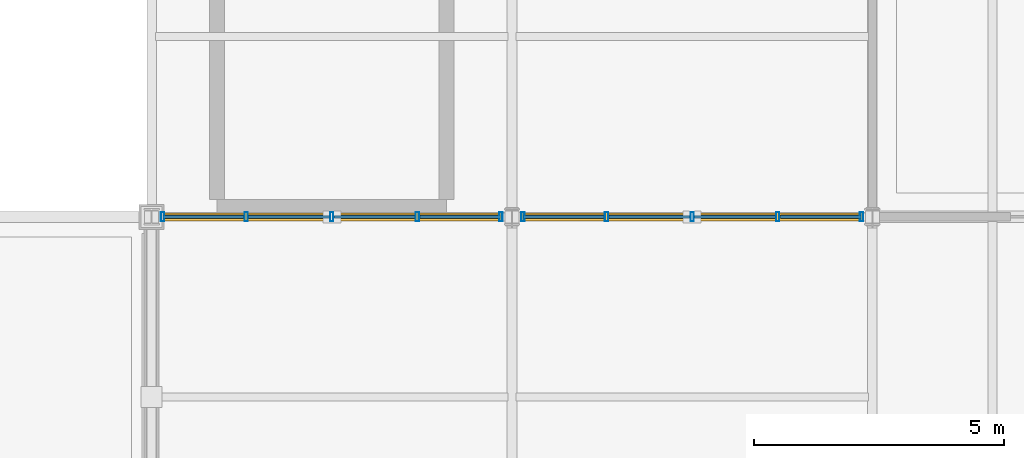
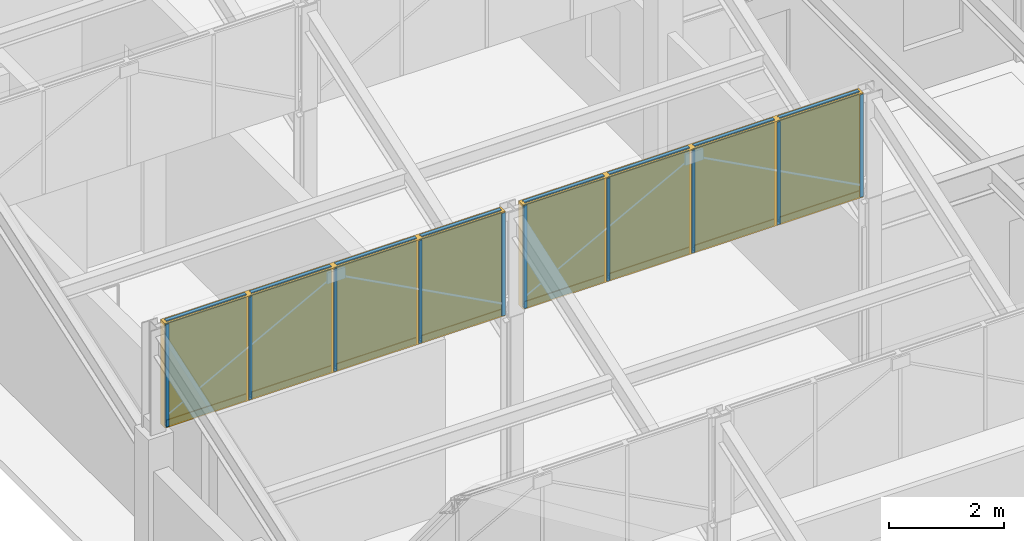
# One storey, part 51 of 82: 26 members, 8 plates, 2 curtain walls.
"""IFC4 building model written with IfcOpenShell, lengths in metres."""

import ifcopenshell
import ifcopenshell.guid

model = None  # the IFC model being written
_history = None  # IfcOwnerHistory: only IFC2X3 demands one
_inside = {}  # id of a spatial element -> (the spatial element, [elements in it])
_under = {}  # id of a project, library or spatial element -> (it, [spatial elements below it])
_declared = {}  # id of a project -> (the project, [libraries it declares])
_typed = {}  # id of a type object -> (the type object, [elements of that type])
_made_of = {}  # id of a material, layer set ... -> (it, [elements and type objects made of it])


def new_model(schema):
    """Start an empty IFC model of exactly this schema.

    Asked for "IFC4X3", IfcOpenShell would pick the latest addendum, in which some entities
    have other attributes; the version numbers below select the first issue.
    IFC2X3 requires an IfcOwnerHistory on every rooted entity: one is made here for all.
    """
    global model, _history
    if schema == "IFC4X3":
        model = ifcopenshell.file(schema_version=(4, 3, 0, 0))
    else:
        model = ifcopenshell.file(schema=schema)
    _inside.clear()
    _under.clear()
    _declared.clear()
    _typed.clear()
    _made_of.clear()
    _history = None
    if model.schema == "IFC2X3":
        org = make("IfcOrganization", Name="unknown")
        user = make(
            "IfcPersonAndOrganization",
            ThePerson=make("IfcPerson", FamilyName="unknown"),
            TheOrganization=org,
        )
        app = make(
            "IfcApplication",
            ApplicationDeveloper=org,
            Version="unknown",
            ApplicationFullName="unknown",
            ApplicationIdentifier="unknown",
        )
        _history = make(
            "IfcOwnerHistory",
            OwningUser=user,
            OwningApplication=app,
            ChangeAction="ADDED",
            CreationDate=0,
        )
    return model


def make(cls, **values):
    """One entity of the class cls with the attributes given. An attribute that is None is left unset."""
    return model.create_entity(
        cls, **{name: value for name, value in values.items() if value is not None}
    )


def rooted(cls, **values):
    """An entity with a GlobalId (a new one), such as an element, a storey or a relation."""
    return make(cls, GlobalId=ifcopenshell.guid.new(), OwnerHistory=_history, **values)


def si_unit(unit_type, name, prefix=None):
    """IfcSIUnit, for example si_unit("LENGTHUNIT", "METRE", prefix="MILLI")."""
    return make("IfcSIUnit", UnitType=unit_type, Prefix=prefix, Name=name)


def assignment(units):
    """IfcUnitAssignment: the units of a project."""
    return None if units is None else make("IfcUnitAssignment", Units=units)


def point(xyz):
    """IfcCartesianPoint."""
    return None if xyz is None else make("IfcCartesianPoint", Coordinates=xyz)


def direction(xyz):
    """IfcDirection."""
    return None if xyz is None else make("IfcDirection", DirectionRatios=xyz)


def frame(location, z_axis=None, x_axis=None):
    """IfcAxis2Placement3D, a coordinate frame: its origin and axes. An axis left out is left unset."""
    return make(
        "IfcAxis2Placement3D",
        Location=point(location),
        Axis=direction(z_axis),
        RefDirection=direction(x_axis),
    )


def frame_2d(location, x_axis=None):
    """IfcAxis2Placement2D, a coordinate frame in the plane: its origin and x axis."""
    return make(
        "IfcAxis2Placement2D", Location=point(location), RefDirection=direction(x_axis)
    )


def origin():
    """The frame at (0, 0, 0) with its axes left unset."""
    return frame((0.0, 0.0, 0.0))


def origin_2d():
    """The frame at (0, 0) in the plane with its x axis left unset."""
    return frame_2d((0.0, 0.0))


def place(relative_to, where):
    """IfcLocalPlacement: puts the frame where relative to a parent placement (None: the world)."""
    return make(
        "IfcLocalPlacement", PlacementRelTo=relative_to, RelativePlacement=where
    )


def context(
    kind, dimensions, precision=None, world=None, true_north=None, identifier=None
):
    """IfcGeometricRepresentationContext, for example the 3D "Model" context."""
    return make(
        "IfcGeometricRepresentationContext",
        ContextIdentifier=identifier,
        ContextType=kind,
        CoordinateSpaceDimension=dimensions,
        Precision=precision,
        WorldCoordinateSystem=world,
        TrueNorth=true_north,
    )


def subcontext(parent, identifier, kind, view, scale=None):
    """IfcGeometricRepresentationSubContext, for example "Body" below "Model"."""
    return make(
        "IfcGeometricRepresentationSubContext",
        ContextIdentifier=identifier,
        ContextType=kind,
        ParentContext=parent,
        TargetScale=scale,
        TargetView=view,
    )


def project(units=None, contexts=None):
    """IfcProject with its units and contexts."""
    return rooted(
        "IfcProject",
        Name="project",
        RepresentationContexts=contexts,
        UnitsInContext=assignment(units),
    )


def spatial(cls, under=None, at=None, **own):
    """A site, building, storey or space (cls), placed at a placement, below another one or the project."""
    s = rooted(cls, ObjectPlacement=at, **own)
    if under is not None:
        _under.setdefault(under.id(), (under, []))[1].append(s)
    return s


def profile(cls, at=None, kind="AREA", **sizes):
    """A parametric profile (cls). Its sizes go by their IFC names, for example OverallWidth=200.0."""
    return make(cls, ProfileType=kind, Position=at, **sizes)


def rectangle(**sizes):
    """IfcRectangleProfileDef."""
    return profile("IfcRectangleProfileDef", **sizes)


def hollow_rectangle(**sizes):
    """IfcRectangleHollowProfileDef."""
    return profile("IfcRectangleHollowProfileDef", **sizes)


def extrude(swept, where, along, depth):
    """IfcExtrudedAreaSolid: the profile swept, set in the frame where, extruded along a direction by depth."""
    return make(
        "IfcExtrudedAreaSolid",
        SweptArea=swept,
        Position=where,
        ExtrudedDirection=direction(along),
        Depth=depth,
    )


def shape(context_of_items, identifier, shape_type, items):
    """IfcShapeRepresentation: the items that make up one representation, for example the "Body"."""
    return make(
        "IfcShapeRepresentation",
        ContextOfItems=context_of_items,
        RepresentationIdentifier=identifier,
        RepresentationType=shape_type,
        Items=items,
    )


def material(Name=None, Category=None):
    """IfcMaterial."""
    return make("IfcMaterial", Name=Name, Category=Category)


def layer(
    of_material, thickness, ventilated=None, Name=None, Category=None, Priority=None
):
    """IfcMaterialLayer: one layer of a wall or slab, of a material (None: an air gap)."""
    return make(
        "IfcMaterialLayer",
        Material=of_material,
        LayerThickness=thickness,
        IsVentilated=ventilated,
        Name=Name,
        Category=Category,
        Priority=Priority,
    )


def layer_set(layers, Name=None):
    """IfcMaterialLayerSet."""
    return make("IfcMaterialLayerSet", MaterialLayers=layers, LayerSetName=Name)


def material_profile(
    of_material, cross_section, Name=None, Category=None, Priority=None
):
    """IfcMaterialProfile: a cross section and its material."""
    return make(
        "IfcMaterialProfile",
        Name=Name,
        Material=of_material,
        Profile=cross_section,
        Priority=Priority,
        Category=Category,
    )


def profile_set(profiles, Name=None, composite=None):
    """IfcMaterialProfileSet."""
    return make(
        "IfcMaterialProfileSet",
        Name=Name,
        MaterialProfiles=profiles,
        CompositeProfile=composite,
    )


def made_of(thing, what):
    """Note that an element or type object is made of a material, layer set ...; save() writes the relation."""
    if what is not None:
        _made_of.setdefault(what.id(), (what, []))[1].append(thing)
    return thing


def type_object(cls, material=None, **own):
    """A type object (cls), such as IfcWallType, which elements share."""
    return made_of(rooted(cls, **own), material)


def element(
    cls,
    number,
    at=None,
    inside=None,
    cuts=None,
    type_object=None,
    material=None,
    context=None,
    identifier="Body",
    shape_type=None,
    held_by="IfcProductDefinitionShape",
    body=None,
    shapes=None,
    **own,
):
    """One element of the class cls, such as IfcWall. Its Tag is "e" and its number.

    at: its placement. inside: the storey or other place that contains it. cuts: it is an
    opening in that element (IfcRelVoidsElement). A single representation is given by context,
    identifier, shape_type and body (its items); several are given by shapes. held_by: the class
    of the entity that holds the representations. save() writes the other relations.
    """
    e = rooted(cls, Tag="e%d" % number, ObjectPlacement=at, **own)
    if body is not None:
        shapes = [shape(context, identifier, shape_type, body)]
    if shapes is not None:
        e.Representation = make(held_by, Representations=shapes)
    if inside is not None:
        _inside.setdefault(inside.id(), (inside, []))[1].append(e)
    if cuts is not None:
        rooted(
            "IfcRelVoidsElement", RelatingBuildingElement=cuts, RelatedOpeningElement=e
        )
    if type_object is not None:
        _typed.setdefault(type_object.id(), (type_object, []))[1].append(e)
    return made_of(e, material)


def aggregate(whole, parts):
    """IfcRelAggregates: a whole, such as a stair, and the parts it consists of."""
    return rooted("IfcRelAggregates", RelatingObject=whole, RelatedObjects=parts)


def save(model, path):
    """Write the relations noted so far, then the file.

    IfcRelAggregates (storeys below a building ...), IfcRelContainedInSpatialStructure (elements
    in a storey), IfcRelDefinesByType, IfcRelAssociatesMaterial and IfcRelDeclares: one each for
    every whole, place, type object, material and project.
    """
    for whole, parts in _under.values():
        aggregate(whole, parts)
    for where, things in _inside.values():
        rooted(
            "IfcRelContainedInSpatialStructure",
            RelatedElements=things,
            RelatingStructure=where,
        )
    for kind, things in _typed.values():
        rooted("IfcRelDefinesByType", RelatedObjects=things, RelatingType=kind)
    for what, things in _made_of.values():
        rooted("IfcRelAssociatesMaterial", RelatedObjects=things, RelatingMaterial=what)
    for by, libraries in _declared.values():
        rooted("IfcRelDeclares", RelatingContext=by, RelatedDefinitions=libraries)
    model.write(path)


model = new_model("IFC4")

# Units and contexts
model_context = context("Model", 3, precision=1e-05, world=origin(), true_north=direction((0.0, 1.0)))
body_context = subcontext(model_context, "Body", "Model", "MODEL_VIEW")
ifc_project = project(units=[si_unit("LENGTHUNIT", "METRE"), si_unit("AREAUNIT", "SQUARE_METRE"), si_unit("VOLUMEUNIT", "CUBIC_METRE"), si_unit("PLANEANGLEUNIT", "RADIAN"), si_unit("MASSUNIT", "GRAM", prefix="KILO")], contexts=[model_context])

# Member
ifc_material_1 = material(Name="Anodized Aluminium 6063-T6", Category="aluminium")
ifc_material_profile_1 = material_profile(ifc_material_1, hollow_rectangle(XDim=0.06494140625, YDim=0.179931640625, WallThickness=0.00390625, at=origin_2d()), Name="ALU 65x180x4")
ifc_profile_set_1 = profile_set([ifc_material_profile_1], Name="Anodized Aluminium 6063-T6")
member_type_1 = type_object("IfcMemberType", Name="CWM-65X150", PredefinedType="MULLION", material=ifc_profile_set_1)
site_placement = place(None, origin())
building_placement = place(site_placement, origin())
storey_placement = place(building_placement, frame((0.0, 0.0, 14.10009765625)))
member_1_placement = place(storey_placement, frame((122.6201171875, 50.39990234375, 3.919921875), z_axis=(0.0, 0.0, 1.0), x_axis=(1.0, 0.0, 0.0)))
member_1 = element("IfcMember", 1, at=member_1_placement, type_object=member_type_1, Name="Curtain wall mullion CW-CLER-17-06-00", PredefinedType="MULLION", context=body_context, shape_type="SweptSolid", body=[
    extrude(hollow_rectangle(XDim=0.06494140625, YDim=0.179931640625, WallThickness=0.00390625, at=origin_2d()), origin(), (0.0, 0.0, 1.0), 2.179931640625),
])

member_2_placement = place(storey_placement, frame((124.2900390625, 50.39990234375, 3.919921875), z_axis=(0.0, 0.0, 1.0), x_axis=(1.0, 0.0, 0.0)))
member_2 = element("IfcMember", 2, at=member_2_placement, type_object=member_type_1, Name="Curtain wall mullion CW-CLER-17-06-01", PredefinedType="MULLION", context=body_context, shape_type="SweptSolid", body=[
    extrude(hollow_rectangle(XDim=0.06494140625, YDim=0.179931640625, WallThickness=0.00390625, at=origin_2d()), origin(), (0.0, 0.0, 1.0), 2.179931640625),
])

member_3_placement = place(storey_placement, frame((126.0, 50.39990234375, 3.919921875), z_axis=(0.0, 0.0, 1.0), x_axis=(1.0, 0.0, 0.0)))
member_3 = element("IfcMember", 3, at=member_3_placement, type_object=member_type_1, Name="Curtain wall mullion CW-CLER-17-06-02", PredefinedType="MULLION", context=body_context, shape_type="SweptSolid", body=[
    extrude(hollow_rectangle(XDim=0.06494140625, YDim=0.179931640625, WallThickness=0.00390625, at=origin_2d()), origin(), (0.0, 0.0, 1.0), 2.179931640625),
])

member_4_placement = place(storey_placement, frame((127.7099609375, 50.39990234375, 3.919921875), z_axis=(0.0, 0.0, 1.0), x_axis=(1.0, 0.0, 0.0)))
member_4 = element("IfcMember", 4, at=member_4_placement, type_object=member_type_1, Name="Curtain wall mullion CW-CLER-17-06-03", PredefinedType="MULLION", context=body_context, shape_type="SweptSolid", body=[
    extrude(hollow_rectangle(XDim=0.06494140625, YDim=0.179931640625, WallThickness=0.00390625, at=origin_2d()), origin(), (0.0, 0.0, 1.0), 2.179931640625),
])

member_5_placement = place(storey_placement, frame((129.3798828125, 50.39990234375, 3.919921875), z_axis=(0.0, 0.0, 1.0), x_axis=(1.0, 0.0, 0.0)))
member_5 = element("IfcMember", 5, at=member_5_placement, type_object=member_type_1, Name="Curtain wall mullion CW-CLER-17-06-04", PredefinedType="MULLION", context=body_context, shape_type="SweptSolid", body=[
    extrude(hollow_rectangle(XDim=0.06494140625, YDim=0.179931640625, WallThickness=0.00390625, at=origin_2d()), origin(), (0.0, 0.0, 1.0), 2.179931640625),
])

member_6_placement = place(storey_placement, frame((129.820068359375, 50.39990234375, 3.919921875), z_axis=(0.0, 0.0, 1.0), x_axis=(1.0, 0.0, 0.0)))
member_6 = element("IfcMember", 6, at=member_6_placement, type_object=member_type_1, Name="Curtain wall mullion CW-CLER-18-06-00", PredefinedType="MULLION", context=body_context, shape_type="SweptSolid", body=[
    extrude(hollow_rectangle(XDim=0.06494140625, YDim=0.179931640625, WallThickness=0.00390625, at=origin_2d()), origin(), (0.0, 0.0, 1.0), 2.179931640625),
])

member_7_placement = place(storey_placement, frame((131.489990234375, 50.39990234375, 3.919921875), z_axis=(0.0, 0.0, 1.0), x_axis=(1.0, 0.0, 0.0)))
member_7 = element("IfcMember", 7, at=member_7_placement, type_object=member_type_1, Name="Curtain wall mullion CW-CLER-18-06-01", PredefinedType="MULLION", context=body_context, shape_type="SweptSolid", body=[
    extrude(hollow_rectangle(XDim=0.06494140625, YDim=0.179931640625, WallThickness=0.00390625, at=origin_2d()), origin(), (0.0, 0.0, 1.0), 2.179931640625),
])

member_8_placement = place(storey_placement, frame((133.199951171875, 50.39990234375, 3.919921875), z_axis=(0.0, 0.0, 1.0), x_axis=(1.0, 0.0, 0.0)))
member_8 = element("IfcMember", 8, at=member_8_placement, type_object=member_type_1, Name="Curtain wall mullion CW-CLER-18-06-02", PredefinedType="MULLION", context=body_context, shape_type="SweptSolid", body=[
    extrude(hollow_rectangle(XDim=0.06494140625, YDim=0.179931640625, WallThickness=0.00390625, at=origin_2d()), origin(), (0.0, 0.0, 1.0), 2.179931640625),
])

member_9_placement = place(storey_placement, frame((134.909912109375, 50.39990234375, 3.919921875), z_axis=(0.0, 0.0, 1.0), x_axis=(1.0, 0.0, 0.0)))
member_9 = element("IfcMember", 9, at=member_9_placement, type_object=member_type_1, Name="Curtain wall mullion CW-CLER-18-06-03", PredefinedType="MULLION", context=body_context, shape_type="SweptSolid", body=[
    extrude(hollow_rectangle(XDim=0.06494140625, YDim=0.179931640625, WallThickness=0.00390625, at=origin_2d()), origin(), (0.0, 0.0, 1.0), 2.179931640625),
])

member_10_placement = place(storey_placement, frame((136.580078125, 50.39990234375, 3.919921875), z_axis=(0.0, 0.0, 1.0), x_axis=(1.0, 0.0, 0.0)))
member_10 = element("IfcMember", 10, at=member_10_placement, type_object=member_type_1, Name="Curtain wall mullion CW-CLER-18-06-04", PredefinedType="MULLION", context=body_context, shape_type="SweptSolid", body=[
    extrude(hollow_rectangle(XDim=0.06494140625, YDim=0.179931640625, WallThickness=0.00390625, at=origin_2d()), origin(), (0.0, 0.0, 1.0), 2.179931640625),
])

ifc_material_profile_2 = material_profile(ifc_material_1, hollow_rectangle(XDim=0.06494140625, YDim=0.139892578125, WallThickness=0.00390625, at=origin_2d()), Name="ALU 65x140x4")
ifc_profile_set_2 = profile_set([ifc_material_profile_2], Name="Anodized Aluminium 6063-T6")
member_type_2 = type_object("IfcMemberType", Name="CWT-65X120", PredefinedType="USERDEFINED", material=ifc_profile_set_2)
member_11_placement = place(storey_placement, frame((122.6298828125, 50.39990234375, 3.949951171875), z_axis=(1.0, 0.0, 0.0), x_axis=(0.0, 1.0, 0.0)))
member_11 = element("IfcMember", 11, at=member_11_placement, type_object=member_type_2, Name="Curtain wall transom CW-CLER-17-06-1.01", ObjectType="TRANSOM", PredefinedType="USERDEFINED", context=body_context, shape_type="SweptSolid", body=[
    extrude(hollow_rectangle(XDim=0.06494140625, YDim=0.139892578125, WallThickness=0.00390625, at=origin_2d()), origin(), (0.0, 0.0, 1.0), 1.610107421875),
])

member_12_placement = place(storey_placement, frame((124.340087890625, 50.39990234375, 3.949951171875), z_axis=(1.0, 0.0, 0.0), x_axis=(0.0, 1.0, 0.0)))
member_12 = element("IfcMember", 12, at=member_12_placement, type_object=member_type_2, Name="Curtain wall transom CW-CLER-17-06-1.02", ObjectType="TRANSOM", PredefinedType="USERDEFINED", context=body_context, shape_type="SweptSolid", body=[
    extrude(hollow_rectangle(XDim=0.06494140625, YDim=0.139892578125, WallThickness=0.00390625, at=origin_2d()), origin(), (0.0, 0.0, 1.0), 1.60986328125),
])

member_13_placement = place(storey_placement, frame((126.050048828125, 50.39990234375, 3.949951171875), z_axis=(1.0, 0.0, 0.0), x_axis=(0.0, 1.0, 0.0)))
member_13 = element("IfcMember", 13, at=member_13_placement, type_object=member_type_2, Name="Curtain wall transom CW-CLER-17-06-1.03", ObjectType="TRANSOM", PredefinedType="USERDEFINED", context=body_context, shape_type="SweptSolid", body=[
    extrude(hollow_rectangle(XDim=0.06494140625, YDim=0.139892578125, WallThickness=0.00390625, at=origin_2d()), origin(), (0.0, 0.0, 1.0), 1.60986328125),
])

member_14_placement = place(storey_placement, frame((127.760009765625, 50.39990234375, 3.949951171875), z_axis=(1.0, 0.0, 0.0), x_axis=(0.0, 1.0, 0.0)))
member_14 = element("IfcMember", 14, at=member_14_placement, type_object=member_type_2, Name="Curtain wall transom CW-CLER-17-06-1.04", ObjectType="TRANSOM", PredefinedType="USERDEFINED", context=body_context, shape_type="SweptSolid", body=[
    extrude(hollow_rectangle(XDim=0.06494140625, YDim=0.139892578125, WallThickness=0.00390625, at=origin_2d()), origin(), (0.0, 0.0, 1.0), 1.610107421875),
])

member_15_placement = place(storey_placement, frame((122.6298828125, 50.39990234375, 6.06982421875), z_axis=(1.0, 0.0, 0.0), x_axis=(0.0, 1.0, 0.0)))
member_15 = element("IfcMember", 15, at=member_15_placement, type_object=member_type_2, Name="Curtain wall transom CW-CLER-17-06-2.01", ObjectType="TRANSOM", PredefinedType="USERDEFINED", context=body_context, shape_type="SweptSolid", body=[
    extrude(hollow_rectangle(XDim=0.06494140625, YDim=0.139892578125, WallThickness=0.00390625, at=origin_2d()), origin(), (0.0, 0.0, 1.0), 1.610107421875),
])

member_16_placement = place(storey_placement, frame((124.340087890625, 50.39990234375, 6.06982421875), z_axis=(1.0, 0.0, 0.0), x_axis=(0.0, 1.0, 0.0)))
member_16 = element("IfcMember", 16, at=member_16_placement, type_object=member_type_2, Name="Curtain wall transom CW-CLER-17-06-2.02", ObjectType="TRANSOM", PredefinedType="USERDEFINED", context=body_context, shape_type="SweptSolid", body=[
    extrude(hollow_rectangle(XDim=0.06494140625, YDim=0.139892578125, WallThickness=0.00390625, at=origin_2d()), origin(), (0.0, 0.0, 1.0), 1.60986328125),
])

member_17_placement = place(storey_placement, frame((126.050048828125, 50.39990234375, 6.06982421875), z_axis=(1.0, 0.0, 0.0), x_axis=(0.0, 1.0, 0.0)))
member_17 = element("IfcMember", 17, at=member_17_placement, type_object=member_type_2, Name="Curtain wall transom CW-CLER-17-06-2.03", ObjectType="TRANSOM", PredefinedType="USERDEFINED", context=body_context, shape_type="SweptSolid", body=[
    extrude(hollow_rectangle(XDim=0.06494140625, YDim=0.139892578125, WallThickness=0.00390625, at=origin_2d()), origin(), (0.0, 0.0, 1.0), 1.60986328125),
])

member_18_placement = place(storey_placement, frame((127.760009765625, 50.39990234375, 6.06982421875), z_axis=(1.0, 0.0, 0.0), x_axis=(0.0, 1.0, 0.0)))
member_18 = element("IfcMember", 18, at=member_18_placement, type_object=member_type_2, Name="Curtain wall transom CW-CLER-17-06-2.04", ObjectType="TRANSOM", PredefinedType="USERDEFINED", context=body_context, shape_type="SweptSolid", body=[
    extrude(hollow_rectangle(XDim=0.06494140625, YDim=0.139892578125, WallThickness=0.00390625, at=origin_2d()), origin(), (0.0, 0.0, 1.0), 1.610107421875),
])

member_19_placement = place(storey_placement, frame((129.830078125, 50.39990234375, 3.949951171875), z_axis=(1.0, 0.0, 0.0), x_axis=(0.0, 1.0, 0.0)))
member_19 = element("IfcMember", 19, at=member_19_placement, type_object=member_type_2, Name="Curtain wall transom CW-CLER-18-06-1.01", ObjectType="TRANSOM", PredefinedType="USERDEFINED", context=body_context, shape_type="SweptSolid", body=[
    extrude(hollow_rectangle(XDim=0.06494140625, YDim=0.139892578125, WallThickness=0.00390625, at=origin_2d()), origin(), (0.0, 0.0, 1.0), 1.60986328125),
])

member_20_placement = place(storey_placement, frame((131.5400390625, 50.39990234375, 3.949951171875), z_axis=(1.0, 0.0, 0.0), x_axis=(0.0, 1.0, 0.0)))
member_20 = element("IfcMember", 20, at=member_20_placement, type_object=member_type_2, Name="Curtain wall transom CW-CLER-18-06-1.02", ObjectType="TRANSOM", PredefinedType="USERDEFINED", context=body_context, shape_type="SweptSolid", body=[
    extrude(hollow_rectangle(XDim=0.06494140625, YDim=0.139892578125, WallThickness=0.00390625, at=origin_2d()), origin(), (0.0, 0.0, 1.0), 1.60986328125),
])

member_21_placement = place(storey_placement, frame((133.25, 50.39990234375, 3.949951171875), z_axis=(1.0, 0.0, 0.0), x_axis=(0.0, 1.0, 0.0)))
member_21 = element("IfcMember", 21, at=member_21_placement, type_object=member_type_2, Name="Curtain wall transom CW-CLER-18-06-1.03", ObjectType="TRANSOM", PredefinedType="USERDEFINED", context=body_context, shape_type="SweptSolid", body=[
    extrude(hollow_rectangle(XDim=0.06494140625, YDim=0.139892578125, WallThickness=0.00390625, at=origin_2d()), origin(), (0.0, 0.0, 1.0), 1.610107421875),
])

member_22_placement = place(storey_placement, frame((134.9599609375, 50.39990234375, 3.949951171875), z_axis=(1.0, 0.0, 0.0), x_axis=(0.0, 1.0, 0.0)))
member_22 = element("IfcMember", 22, at=member_22_placement, type_object=member_type_2, Name="Curtain wall transom CW-CLER-18-06-1.04", ObjectType="TRANSOM", PredefinedType="USERDEFINED", context=body_context, shape_type="SweptSolid", body=[
    extrude(hollow_rectangle(XDim=0.06494140625, YDim=0.139892578125, WallThickness=0.00390625, at=origin_2d()), origin(), (0.0, 0.0, 1.0), 1.610107421875),
])

member_23_placement = place(storey_placement, frame((129.830078125, 50.39990234375, 6.06982421875), z_axis=(1.0, 0.0, 0.0), x_axis=(0.0, 1.0, 0.0)))
member_23 = element("IfcMember", 23, at=member_23_placement, type_object=member_type_2, Name="Curtain wall transom CW-CLER-18-06-2.01", ObjectType="TRANSOM", PredefinedType="USERDEFINED", context=body_context, shape_type="SweptSolid", body=[
    extrude(hollow_rectangle(XDim=0.06494140625, YDim=0.139892578125, WallThickness=0.00390625, at=origin_2d()), origin(), (0.0, 0.0, 1.0), 1.60986328125),
])

member_24_placement = place(storey_placement, frame((131.5400390625, 50.39990234375, 6.06982421875), z_axis=(1.0, 0.0, 0.0), x_axis=(0.0, 1.0, 0.0)))
member_24 = element("IfcMember", 24, at=member_24_placement, type_object=member_type_2, Name="Curtain wall transom CW-CLER-18-06-2.02", ObjectType="TRANSOM", PredefinedType="USERDEFINED", context=body_context, shape_type="SweptSolid", body=[
    extrude(hollow_rectangle(XDim=0.06494140625, YDim=0.139892578125, WallThickness=0.00390625, at=origin_2d()), origin(), (0.0, 0.0, 1.0), 1.60986328125),
])

member_25_placement = place(storey_placement, frame((133.25, 50.39990234375, 6.06982421875), z_axis=(1.0, 0.0, 0.0), x_axis=(0.0, 1.0, 0.0)))
member_25 = element("IfcMember", 25, at=member_25_placement, type_object=member_type_2, Name="Curtain wall transom CW-CLER-18-06-2.03", ObjectType="TRANSOM", PredefinedType="USERDEFINED", context=body_context, shape_type="SweptSolid", body=[
    extrude(hollow_rectangle(XDim=0.06494140625, YDim=0.139892578125, WallThickness=0.00390625, at=origin_2d()), origin(), (0.0, 0.0, 1.0), 1.610107421875),
])

member_26_placement = place(storey_placement, frame((134.9599609375, 50.39990234375, 6.06982421875), z_axis=(1.0, 0.0, 0.0), x_axis=(0.0, 1.0, 0.0)))
member_26 = element("IfcMember", 26, at=member_26_placement, type_object=member_type_2, Name="Curtain wall transom CW-CLER-18-06-2.04", ObjectType="TRANSOM", PredefinedType="USERDEFINED", context=body_context, shape_type="SweptSolid", body=[
    extrude(hollow_rectangle(XDim=0.06494140625, YDim=0.139892578125, WallThickness=0.00390625, at=origin_2d()), origin(), (0.0, 0.0, 1.0), 1.610107421875),
])

# Plate
ifc_material_2 = material(Name="North-Light Clear Diffusing Glazing", Category="glass")
ifc_layer = layer(ifc_material_2, 0.035888671875)
ifc_layer_set = layer_set([ifc_layer], Name="North-Light Clear Diffusing Glazing")
plate_type = type_object("IfcPlateType", Name="CWP-IGU-CL", PredefinedType="CURTAIN_PANEL", material=ifc_layer_set)
plate_1_placement = place(storey_placement, frame((123.43505859375, 50.39990234375, 3.9599609375), z_axis=(0.0, 0.0, 1.0), x_axis=(1.0, 0.0, 0.0)))
plate_1 = element("IfcPlate", 27, at=plate_1_placement, type_object=plate_type, Name="Curtain wall vision glazing CW-CLER-17-06-01", PredefinedType="CURTAIN_PANEL", context=body_context, shape_type="SweptSolid", body=[
    extrude(rectangle(XDim=1.6201171875, YDim=0.0400390625, at=origin_2d()), origin(), (0.0, 0.0, 1.0), 2.10009765625),
])

plate_2_placement = place(storey_placement, frame((125.14501953125, 50.39990234375, 3.9599609375), z_axis=(0.0, 0.0, 1.0), x_axis=(1.0, 0.0, 0.0)))
plate_2 = element("IfcPlate", 28, at=plate_2_placement, type_object=plate_type, Name="Curtain wall vision glazing CW-CLER-17-06-02", PredefinedType="CURTAIN_PANEL", context=body_context, shape_type="SweptSolid", body=[
    extrude(rectangle(XDim=1.6201171875, YDim=0.0400390625, at=origin_2d()), origin(), (0.0, 0.0, 1.0), 2.10009765625),
])

plate_3_placement = place(storey_placement, frame((126.85498046875, 50.39990234375, 3.9599609375), z_axis=(0.0, 0.0, 1.0), x_axis=(1.0, 0.0, 0.0)))
plate_3 = element("IfcPlate", 29, at=plate_3_placement, type_object=plate_type, Name="Curtain wall vision glazing CW-CLER-17-06-03", PredefinedType="CURTAIN_PANEL", context=body_context, shape_type="SweptSolid", body=[
    extrude(rectangle(XDim=1.6201171875, YDim=0.0400390625, at=origin_2d()), origin(), (0.0, 0.0, 1.0), 2.10009765625),
])

plate_4_placement = place(storey_placement, frame((128.56494140625, 50.39990234375, 3.9599609375), z_axis=(0.0, 0.0, 1.0), x_axis=(1.0, 0.0, 0.0)))
plate_4 = element("IfcPlate", 30, at=plate_4_placement, type_object=plate_type, Name="Curtain wall vision glazing CW-CLER-17-06-04", PredefinedType="CURTAIN_PANEL", context=body_context, shape_type="SweptSolid", body=[
    extrude(rectangle(XDim=1.6201171875, YDim=0.0400390625, at=origin_2d()), origin(), (0.0, 0.0, 1.0), 2.10009765625),
])

plate_5_placement = place(storey_placement, frame((130.635009765625, 50.39990234375, 3.9599609375), z_axis=(0.0, 0.0, 1.0), x_axis=(1.0, 0.0, 0.0)))
plate_5 = element("IfcPlate", 31, at=plate_5_placement, type_object=plate_type, Name="Curtain wall vision glazing CW-CLER-18-06-01", PredefinedType="CURTAIN_PANEL", context=body_context, shape_type="SweptSolid", body=[
    extrude(rectangle(XDim=1.6201171875, YDim=0.0400390625, at=origin_2d()), origin(), (0.0, 0.0, 1.0), 2.10009765625),
])

plate_6_placement = place(storey_placement, frame((132.344970703125, 50.39990234375, 3.9599609375), z_axis=(0.0, 0.0, 1.0), x_axis=(1.0, 0.0, 0.0)))
plate_6 = element("IfcPlate", 32, at=plate_6_placement, type_object=plate_type, Name="Curtain wall vision glazing CW-CLER-18-06-02", PredefinedType="CURTAIN_PANEL", context=body_context, shape_type="SweptSolid", body=[
    extrude(rectangle(XDim=1.6201171875, YDim=0.0400390625, at=origin_2d()), origin(), (0.0, 0.0, 1.0), 2.10009765625),
])

plate_7_placement = place(storey_placement, frame((134.054931640625, 50.39990234375, 3.9599609375), z_axis=(0.0, 0.0, 1.0), x_axis=(1.0, 0.0, 0.0)))
plate_7 = element("IfcPlate", 33, at=plate_7_placement, type_object=plate_type, Name="Curtain wall vision glazing CW-CLER-18-06-03", PredefinedType="CURTAIN_PANEL", context=body_context, shape_type="SweptSolid", body=[
    extrude(rectangle(XDim=1.6201171875, YDim=0.0400390625, at=origin_2d()), origin(), (0.0, 0.0, 1.0), 2.10009765625),
])

plate_8_placement = place(storey_placement, frame((135.764892578125, 50.39990234375, 3.9599609375), z_axis=(0.0, 0.0, 1.0), x_axis=(1.0, 0.0, 0.0)))
plate_8 = element("IfcPlate", 34, at=plate_8_placement, type_object=plate_type, Name="Curtain wall vision glazing CW-CLER-18-06-04", PredefinedType="CURTAIN_PANEL", context=body_context, shape_type="SweptSolid", body=[
    extrude(rectangle(XDim=1.6201171875, YDim=0.0400390625, at=origin_2d()), origin(), (0.0, 0.0, 1.0), 2.10009765625),
])

# Site, building, storey
site = spatial("IfcSite", under=ifc_project, at=site_placement, CompositionType="ELEMENT")
building = spatial("IfcBuilding", under=site, at=building_placement, Name="Sillqori Civic Hall", CompositionType="ELEMENT")
storey = spatial("IfcBuildingStorey", under=building, at=storey_placement, Name="L04", CompositionType="ELEMENT", Elevation=14.10009765625)

# Curtain wall
ifc_material_3 = material(Name="Anodized Aluminium Curtain Wall System", Category="aluminium")
curtain_wall_type = type_object("IfcCurtainWallType", Name="CW-CL-205", PredefinedType="NOTDEFINED", material=ifc_material_3)
curtain_wall_1_placement = place(storey_placement, frame((126.0, 50.39990234375, 3.89990234375), z_axis=(0.0, 0.0, 1.0), x_axis=(1.0, 0.0, 0.0)))
curtain_wall_1 = element("IfcCurtainWall", 35, at=curtain_wall_1_placement, inside=storey, type_object=curtain_wall_type, Name="L04 unitised curtain wall CW-CLER-17-06", PredefinedType="NOTDEFINED", context=body_context, shape_type="SweptSolid", body=[
    extrude(rectangle(XDim=6.840087890625, YDim=0.159912109375, at=origin_2d()), origin(), (0.0, 0.0, 1.0), 2.219970703125),
])

aggregate(curtain_wall_1, [member_1, member_2, member_3, member_4, member_5, member_11, member_12, member_13, member_14, member_15, member_16, member_17, member_18, plate_1, plate_2, plate_3, plate_4])

curtain_wall_2_placement = place(storey_placement, frame((133.199951171875, 50.39990234375, 3.89990234375), z_axis=(0.0, 0.0, 1.0), x_axis=(1.0, 0.0, 0.0)))
curtain_wall_2 = element("IfcCurtainWall", 36, at=curtain_wall_2_placement, inside=storey, type_object=curtain_wall_type, Name="L04 unitised curtain wall CW-CLER-18-06", PredefinedType="NOTDEFINED", context=body_context, shape_type="SweptSolid", body=[
    extrude(rectangle(XDim=6.840087890625, YDim=0.159912109375, at=origin_2d()), origin(), (0.0, 0.0, 1.0), 2.219970703125),
])

aggregate(curtain_wall_2, [member_6, member_7, member_8, member_9, member_10, member_19, member_20, member_21, member_22, member_23, member_24, member_25, member_26, plate_5, plate_6, plate_7, plate_8])

save(model, "model.ifc")
